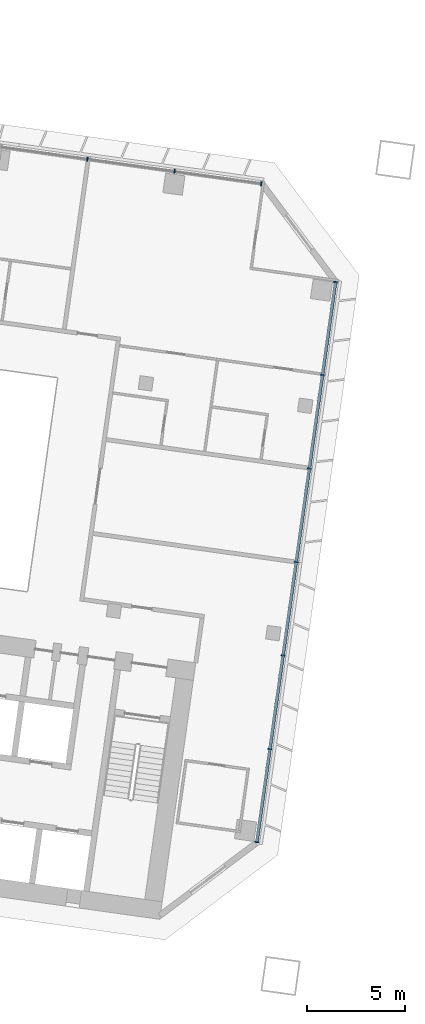
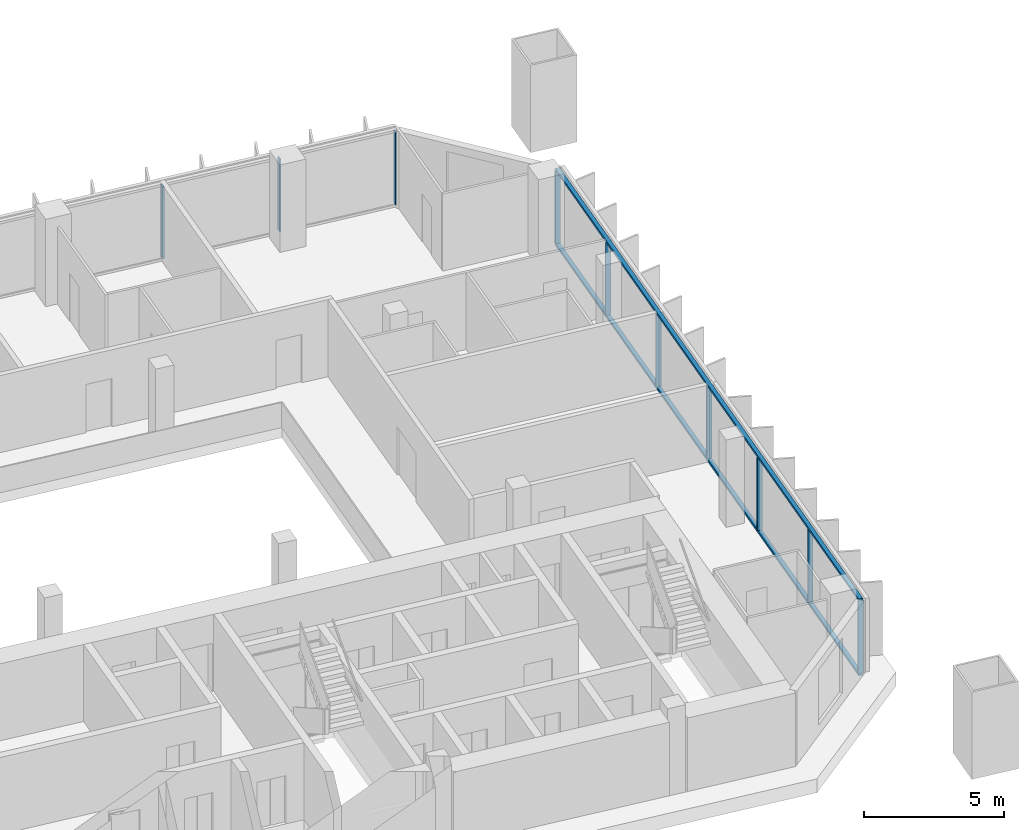
# One storey, part 6 of 24: 12 members, 2 elements without a shape of their own.
"""IFC4 building model written with IfcOpenShell, lengths in metres."""

from ifc_helpers import new_model, si_unit, direction, frame, origin, origin_2d, place, context, subcontext, project, spatial, rectangle, extrude, material, material_profile, profile_set, type_object, element, aggregate, save


model = new_model("IFC4")

# Units and contexts
model_context = context("Model", 3, precision=1e-05, world=origin(), true_north=direction((0.0, 1.0)))
body_context = subcontext(model_context, "Body", "Model", "MODEL_VIEW")
ifc_project = project(units=[si_unit("LENGTHUNIT", "METRE"), si_unit("AREAUNIT", "SQUARE_METRE"), si_unit("VOLUMEUNIT", "CUBIC_METRE"), si_unit("PLANEANGLEUNIT", "RADIAN"), si_unit("MASSUNIT", "GRAM", prefix="KILO")], contexts=[model_context])

# Site, building, storey
site_placement = place(None, origin())
site = spatial("IfcSite", under=ifc_project, at=site_placement, CompositionType="ELEMENT")
building_placement = place(site_placement, origin())
building = spatial("IfcBuilding", under=site, at=building_placement, Name="Mirante Cascada Hotel Towers", CompositionType="ELEMENT")
storey_placement = place(building_placement, frame((0.0, 0.0, 85.1)))
storey = spatial("IfcBuildingStorey", under=building, at=storey_placement, Name="L18", CompositionType="ELEMENT", Elevation=85.1)

# Curtain wall, members
ifc_material_1 = material(Name="Aluminium mullion and transom frame with clear laminated glass", Category="aluminium")
curtain_wall_type_1 = type_object("IfcCurtainWallType", Name="Ribbon curtain wall ECW1", PredefinedType="NOTDEFINED", material=ifc_material_1)
curtain_wall_1_placement = place(storey_placement, origin())
curtain_wall_1 = element("IfcCurtainWall", 1, at=curtain_wall_1_placement, inside=storey, type_object=curtain_wall_type_1, Name="Front ribbon wall T1 L18", PredefinedType="NOTDEFINED")
ifc_material_2 = material(Name="Anodised aluminium extrusion", Category="aluminium")
ifc_material_profile_1 = material_profile(ifc_material_2, rectangle(XDim=0.2, YDim=0.065, at=origin_2d()), Name="ECW1 MULLION 65x200")
ifc_profile_set_1 = profile_set([ifc_material_profile_1], Name="Anodised aluminium extrusion")
member_type_1 = type_object("IfcMemberType", Name="ECW1 mullion 65x200", PredefinedType="MULLION", material=ifc_profile_set_1)
member_1_placement = place(storey_placement, frame((-40.7892, 18.5516, 0.1), z_axis=(0.0, 0.0, 1.0), x_axis=(0.1391731, 0.9902681, 0.0)))
member_1 = element("IfcMember", 2, at=member_1_placement, type_object=member_type_1, Name="ECW1 mullion 13", PredefinedType="MULLION", context=body_context, shape_type="SweptSolid", body=[
    extrude(rectangle(XDim=0.2, YDim=0.065, at=origin_2d()), origin(), (0.0, 0.0, 1.0), 3.15),
])
member_2_placement = place(storey_placement, frame((-36.3417, 17.9265, 0.1), z_axis=(0.0, 0.0, 1.0), x_axis=(0.1391731, 0.9902681, 0.0)))
member_2 = element("IfcMember", 3, at=member_2_placement, type_object=member_type_1, Name="ECW1 mullion 14", PredefinedType="MULLION", context=body_context, shape_type="SweptSolid", body=[
    extrude(rectangle(XDim=0.2, YDim=0.065, at=origin_2d()), origin(), (0.0, 0.0, 1.0), 3.15),
])
member_3_placement = place(storey_placement, frame((-31.9265, 17.306, 0.1), z_axis=(0.0, 0.0, 1.0), x_axis=(0.1391731, 0.9902681, 0.0)))
member_3 = element("IfcMember", 4, at=member_3_placement, type_object=member_type_1, Name="ECW1 mullion 15", PredefinedType="MULLION", context=body_context, shape_type="SweptSolid", body=[
    extrude(rectangle(XDim=0.2, YDim=0.065, at=origin_2d()), origin(), (0.0, 0.0, 1.0), 3.15),
])
aggregate(curtain_wall_1, [member_1, member_2, member_3])

ifc_material_3 = material(Name="Aluminium mullion and transom frame with clear laminated glass", Category="aluminium")
curtain_wall_type_2 = type_object("IfcCurtainWallType", Name="End ribbon curtain wall ECW2", PredefinedType="NOTDEFINED", material=ifc_material_3)
curtain_wall_2_placement = place(storey_placement, origin())
curtain_wall_2 = element("IfcCurtainWall", 5, at=curtain_wall_2_placement, inside=storey, type_object=curtain_wall_type_2, Name="Inner end wall T1 L18", PredefinedType="NOTDEFINED")
ifc_material_4 = material(Name="Anodised aluminium extrusion", Category="aluminium")
ifc_material_profile_2 = material_profile(ifc_material_4, rectangle(XDim=0.2, YDim=0.065, at=origin_2d()), Name="ECW2 MULLION 65x200")
ifc_profile_set_2 = profile_set([ifc_material_profile_2], Name="Anodised aluminium extrusion")
member_type_2 = type_object("IfcMemberType", Name="ECW2 mullion 65x200", PredefinedType="MULLION", material=ifc_profile_set_2)
member_4_placement = place(storey_placement, frame((-28.1437, 12.2861, 0.1), z_axis=(0.0, 0.0, 1.0), x_axis=(0.9902681, -0.1391731, 0.0)))
member_4 = element("IfcMember", 6, at=member_4_placement, type_object=member_type_2, Name="ECW2 mullion 1", PredefinedType="MULLION", context=body_context, shape_type="SweptSolid", body=[
    extrude(rectangle(XDim=0.2, YDim=0.065, at=origin_2d()), origin(), (0.0, 0.0, 1.0), 3.15),
])
member_5_placement = place(storey_placement, frame((-28.809, 7.5524, 0.1), z_axis=(0.0, 0.0, 1.0), x_axis=(0.9902681, -0.1391731, 0.0)))
member_5 = element("IfcMember", 7, at=member_5_placement, type_object=member_type_2, Name="ECW2 mullion 2", PredefinedType="MULLION", context=body_context, shape_type="SweptSolid", body=[
    extrude(rectangle(XDim=0.2, YDim=0.065, at=origin_2d()), origin(), (0.0, 0.0, 1.0), 3.15),
])
member_6_placement = place(storey_placement, frame((-29.4788, 2.7867, 0.1), z_axis=(0.0, 0.0, 1.0), x_axis=(0.9902681, -0.1391731, 0.0)))
member_6 = element("IfcMember", 8, at=member_6_placement, type_object=member_type_2, Name="ECW2 mullion 3", PredefinedType="MULLION", context=body_context, shape_type="SweptSolid", body=[
    extrude(rectangle(XDim=0.2, YDim=0.065, at=origin_2d()), origin(), (0.0, 0.0, 1.0), 3.15),
])
member_7_placement = place(storey_placement, frame((-30.1485, -1.9791, 0.1), z_axis=(0.0, 0.0, 1.0), x_axis=(0.9902681, -0.1391731, 0.0)))
member_7 = element("IfcMember", 9, at=member_7_placement, type_object=member_type_2, Name="ECW2 mullion 4", PredefinedType="MULLION", context=body_context, shape_type="SweptSolid", body=[
    extrude(rectangle(XDim=0.2, YDim=0.065, at=origin_2d()), origin(), (0.0, 0.0, 1.0), 3.15),
])
member_8_placement = place(storey_placement, frame((-30.8183, -6.7449, 0.1), z_axis=(0.0, 0.0, 1.0), x_axis=(0.9902681, -0.1391731, 0.0)))
member_8 = element("IfcMember", 10, at=member_8_placement, type_object=member_type_2, Name="ECW2 mullion 5", PredefinedType="MULLION", context=body_context, shape_type="SweptSolid", body=[
    extrude(rectangle(XDim=0.2, YDim=0.065, at=origin_2d()), origin(), (0.0, 0.0, 1.0), 3.15),
])
member_9_placement = place(storey_placement, frame((-31.4881, -11.5107, 0.1), z_axis=(0.0, 0.0, 1.0), x_axis=(0.9902681, -0.1391731, 0.0)))
member_9 = element("IfcMember", 11, at=member_9_placement, type_object=member_type_2, Name="ECW2 mullion 6", PredefinedType="MULLION", context=body_context, shape_type="SweptSolid", body=[
    extrude(rectangle(XDim=0.2, YDim=0.065, at=origin_2d()), origin(), (0.0, 0.0, 1.0), 3.15),
])
member_10_placement = place(storey_placement, frame((-32.1534, -16.2443, 0.1), z_axis=(0.0, 0.0, 1.0), x_axis=(0.9902681, -0.1391731, 0.0)))
member_10 = element("IfcMember", 12, at=member_10_placement, type_object=member_type_2, Name="ECW2 mullion 7", PredefinedType="MULLION", context=body_context, shape_type="SweptSolid", body=[
    extrude(rectangle(XDim=0.2, YDim=0.065, at=origin_2d()), origin(), (0.0, 0.0, 1.0), 3.15),
])
ifc_material_5 = material(Name="Anodised aluminium extrusion", Category="aluminium")
ifc_material_profile_3 = material_profile(ifc_material_5, rectangle(XDim=0.16, YDim=0.1, at=origin_2d()), Name="ECW2 TRANSOM 100x160")
ifc_profile_set_3 = profile_set([ifc_material_profile_3], Name="Anodised aluminium extrusion")
member_type_3 = type_object("IfcMemberType", Name="ECW2 transom 100x160", PredefinedType="USERDEFINED", material=ifc_profile_set_3)
member_11_placement = place(storey_placement, frame((-28.1392, 12.3182, 0.05), z_axis=(-0.1391723, -0.9902682, 0.0), x_axis=(0.9902682, -0.1391723, 0.0)))
member_11 = element("IfcMember", 13, at=member_11_placement, type_object=member_type_3, Name="ECW2 sill transom", ObjectType="TRANSOM", PredefinedType="USERDEFINED", context=body_context, shape_type="SweptSolid", body=[
    extrude(rectangle(XDim=0.16, YDim=0.1, at=origin_2d()), origin(), (0.0, 0.0, 1.0), 28.8757),
])
member_12_placement = place(storey_placement, frame((-28.1392, 12.3182, 3.3), z_axis=(-0.1391723, -0.9902682, 0.0), x_axis=(0.9902682, -0.1391723, 0.0)))
member_12 = element("IfcMember", 14, at=member_12_placement, type_object=member_type_3, Name="ECW2 head transom", ObjectType="TRANSOM", PredefinedType="USERDEFINED", context=body_context, shape_type="SweptSolid", body=[
    extrude(rectangle(XDim=0.16, YDim=0.1, at=origin_2d()), origin(), (0.0, 0.0, 1.0), 28.8757),
])
aggregate(curtain_wall_2, [member_11, member_12, member_4, member_5, member_6, member_7, member_8, member_9, member_10])

save(model, "model.ifc")
